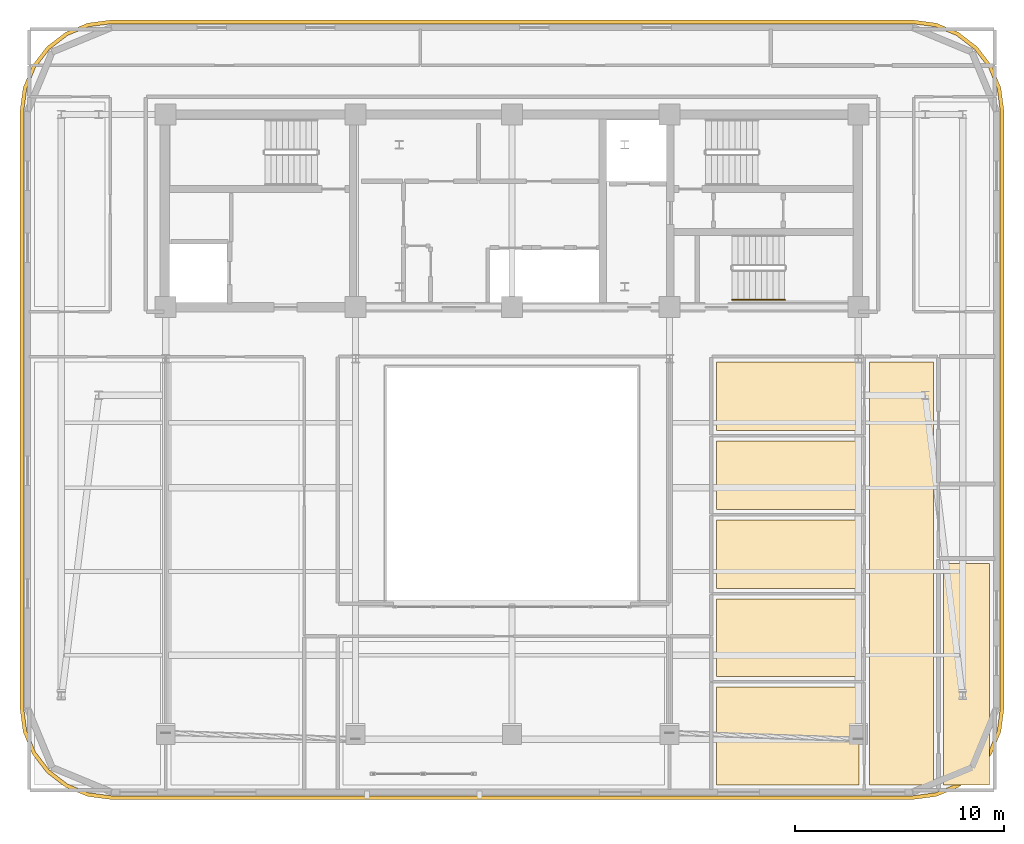
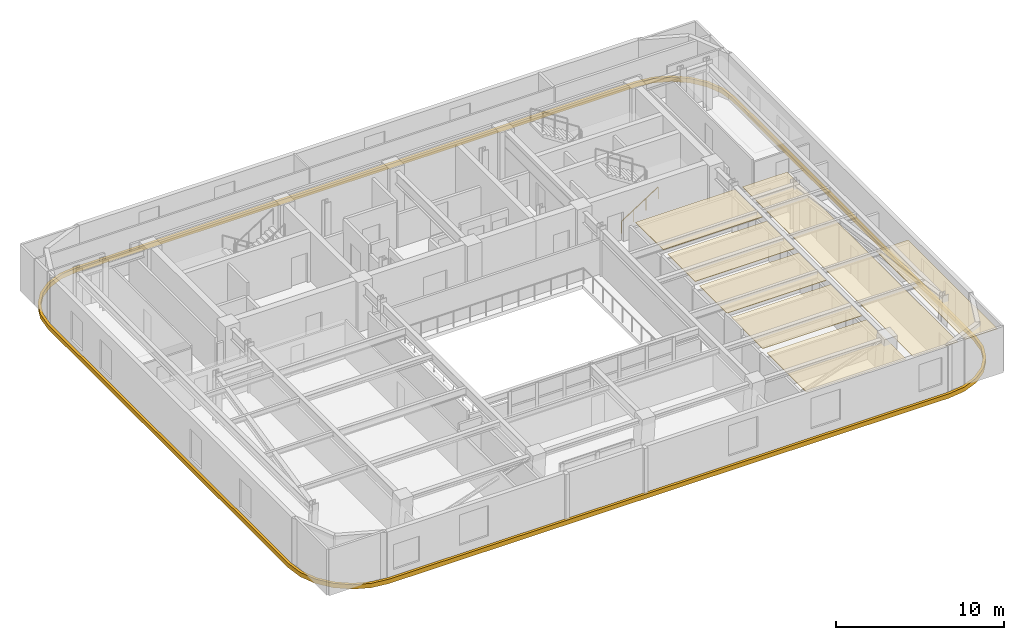
# One storey, part 12 of 13: 8 coverings, 1 railing.
"""IFC4 building model written with IfcOpenShell, lengths in metres."""

from ifc_helpers import new_model, si_unit, direction, frame, origin, origin_2d, place, context, subcontext, project, spatial, polyline, rectangle, outline, extrude, material, layer, layer_set, type_object, element, save


model = new_model("IFC4")

# Units and contexts
model_context = context("Model", 3, precision=1e-05, world=origin(), true_north=direction((0.0, 1.0)))
body_context = subcontext(model_context, "Body", "Model", "MODEL_VIEW")
ifc_project = project(units=[si_unit("LENGTHUNIT", "METRE"), si_unit("AREAUNIT", "SQUARE_METRE"), si_unit("VOLUMEUNIT", "CUBIC_METRE"), si_unit("PLANEANGLEUNIT", "RADIAN"), si_unit("MASSUNIT", "GRAM", prefix="KILO")], contexts=[model_context])

# Site, building, storey
site_placement = place(None, origin())
site = spatial("IfcSite", under=ifc_project, at=site_placement, CompositionType="ELEMENT")
building_placement = place(site_placement, origin())
building = spatial("IfcBuilding", under=site, at=building_placement, Name="Zarnavel Station Tower", CompositionType="ELEMENT")
storey_placement = place(building_placement, frame((0.0, 0.0, 207.60009765625)))
storey = spatial("IfcBuildingStorey", under=building, at=storey_placement, Name="L56", CompositionType="ELEMENT", Elevation=207.60009765625)

# Coverings
ifc_material_1 = material(Name="Perforated Gypsum and Mineral-Wool Acoustic Ceiling", Category="concrete")
ifc_layer = layer(ifc_material_1, 0.0400390625)
ifc_layer_set = layer_set([ifc_layer], Name="COV_CEIL_ACOUSTIC")
covering_type_1 = type_object("IfcCoveringType", Name="COV_CEIL_ACOUSTIC", PredefinedType="CEILING", material=ifc_layer_set)
covering_1_placement = place(storey_placement, frame((0.0, 0.0, 3.02001953125)))
element("IfcCovering", 1, at=covering_1_placement, inside=storey, type_object=covering_type_1, Name="L56 UE1LV Acoustic Ceiling", PredefinedType="CEILING", context=body_context, shape_type="SweptSolid", body=[
    extrude(outline(polyline([(45.930908203125, 4.909912109375), (48.989990234375, 4.909912109375), (48.989990234375, 25.199951171875), (45.930908203125, 25.199951171875), (45.930908203125, 4.909912109375)])), origin(), (0.0, 0.0, 1.0), 0.039794921875),
])
covering_2_placement = place(storey_placement, frame((0.0, 0.0, 3.02001953125)))
element("IfcCovering", 2, at=covering_2_placement, inside=storey, type_object=covering_type_1, Name="L56 UE1KT Acoustic Ceiling", PredefinedType="CEILING", context=body_context, shape_type="SweptSolid", body=[
    extrude(outline(polyline([(49.489990234375, 4.909912109375), (51.68994140625, 4.909912109375), (51.68994140625, 15.52099609375), (49.489990234375, 15.52099609375), (49.489990234375, 4.909912109375)])), origin(), (0.0, 0.0, 1.0), 0.039794921875),
])
covering_3_placement = place(storey_placement, frame((0.0, 0.0, 3.02001953125)))
element("IfcCovering", 3, at=covering_3_placement, inside=storey, type_object=covering_type_1, Name="L56 UE1B1 Acoustic Ceiling", PredefinedType="CEILING", context=body_context, shape_type="SweptSolid", body=[
    extrude(outline(polyline([(38.60009765625, 4.909912109375), (45.430908203125, 4.909912109375), (45.430908203125, 9.60693359375), (38.60009765625, 9.60693359375), (38.60009765625, 4.909912109375)])), origin(), (0.0, 0.0, 1.0), 0.039794921875),
])
covering_4_placement = place(storey_placement, frame((0.0, 0.0, 3.02001953125)))
element("IfcCovering", 4, at=covering_4_placement, inside=storey, type_object=covering_type_1, Name="L56 UE1B2 Acoustic Ceiling", PredefinedType="CEILING", context=body_context, shape_type="SweptSolid", body=[
    extrude(outline(polyline([(38.60009765625, 10.10693359375), (45.430908203125, 10.10693359375), (45.430908203125, 13.8349609375), (38.60009765625, 13.8349609375), (38.60009765625, 10.10693359375)])), origin(), (0.0, 0.0, 1.0), 0.039794921875),
])
covering_5_placement = place(storey_placement, frame((0.0, 0.0, 3.02001953125)))
element("IfcCovering", 5, at=covering_5_placement, inside=storey, type_object=covering_type_1, Name="L56 UE1B3 Acoustic Ceiling", PredefinedType="CEILING", context=body_context, shape_type="SweptSolid", body=[
    extrude(outline(polyline([(38.60009765625, 14.3349609375), (45.430908203125, 14.3349609375), (45.430908203125, 17.623046875), (38.60009765625, 17.623046875), (38.60009765625, 14.3349609375)])), origin(), (0.0, 0.0, 1.0), 0.039794921875),
])
covering_6_placement = place(storey_placement, frame((0.0, 0.0, 3.02001953125)))
element("IfcCovering", 6, at=covering_6_placement, inside=storey, type_object=covering_type_1, Name="L56 UE1B4 Acoustic Ceiling", PredefinedType="CEILING", context=body_context, shape_type="SweptSolid", body=[
    extrude(outline(polyline([(38.60009765625, 18.123046875), (45.430908203125, 18.123046875), (45.430908203125, 21.410888671875), (38.60009765625, 21.410888671875), (38.60009765625, 18.123046875)])), origin(), (0.0, 0.0, 1.0), 0.039794921875),
])
covering_7_placement = place(storey_placement, frame((0.0, 0.0, 3.02001953125)))
element("IfcCovering", 7, at=covering_7_placement, inside=storey, type_object=covering_type_1, Name="L56 UE1B5 Acoustic Ceiling", PredefinedType="CEILING", context=body_context, shape_type="SweptSolid", body=[
    extrude(outline(polyline([(38.60009765625, 21.910888671875), (45.430908203125, 21.910888671875), (45.430908203125, 25.199951171875), (38.60009765625, 25.199951171875), (38.60009765625, 21.910888671875)])), origin(), (0.0, 0.0, 1.0), 0.039794921875),
])
ifc_material_2 = material(Name="Precast concrete C45/55 (Pale Travertine Slab Band)", Category="masonry")
covering_type_2 = type_object("IfcCoveringType", Name="COV_TRAVERTINE_BAND", PredefinedType="CLADDING", material=ifc_material_2)
covering_8_placement = place(storey_placement, frame((0.0, 0.0, -0.260009765625)))
element("IfcCovering", 8, at=covering_8_placement, inside=storey, type_object=covering_type_2, Name="L56 Pale Travertine Slab-Edge Band", PredefinedType="CLADDING", context=body_context, shape_type="SweptSolid", body=[
    extrude(outline(polyline([(48.0, 4.219970703125), (49.133544921875, 4.369140625), (50.18994140625, 4.806884765625), (51.09716796875, 5.5029296875), (51.793212890625, 6.409912109375), (52.230712890625, 7.46630859375), (52.3798828125, 8.60009765625), (52.3798828125, 37.199951171875), (52.230712890625, 38.33349609375), (51.793212890625, 39.389892578125), (51.09716796875, 40.297119140625), (50.18994140625, 40.9931640625), (49.133544921875, 41.430908203125), (48.0, 41.580078125), (9.60009765625, 41.580078125), (8.46630859375, 41.430908203125), (7.409912109375, 40.9931640625), (6.5029296875, 40.297119140625), (5.806884765625, 39.389892578125), (5.369140625, 38.33349609375), (5.219970703125, 37.199951171875), (5.219970703125, 8.60009765625), (5.369140625, 7.46630859375), (5.806884765625, 6.409912109375), (6.5029296875, 5.5029296875), (7.409912109375, 4.806884765625), (8.46630859375, 4.369140625), (9.60009765625, 4.219970703125), (48.0, 4.219970703125)]), holes=[polyline([(48.0, 4.39990234375), (49.0869140625, 4.543212890625), (50.10009765625, 4.962646484375), (50.9697265625, 5.630126953125), (51.63720703125, 6.5), (52.056884765625, 7.512939453125), (52.199951171875, 8.60009765625), (52.199951171875, 37.199951171875), (52.056884765625, 38.287109375), (51.63720703125, 39.300048828125), (50.9697265625, 40.169921875), (50.10009765625, 40.83740234375), (49.0869140625, 41.2568359375), (48.0, 41.39990234375), (9.60009765625, 41.39990234375), (8.512939453125, 41.2568359375), (7.5, 40.83740234375), (6.630126953125, 40.169921875), (5.962646484375, 39.300048828125), (5.543212890625, 38.287109375), (5.39990234375, 37.199951171875), (5.39990234375, 8.60009765625), (5.543212890625, 7.512939453125), (5.962646484375, 6.5), (6.630126953125, 5.630126953125), (7.5, 4.962646484375), (8.512939453125, 4.543212890625), (9.60009765625, 4.39990234375), (48.0, 4.39990234375)])]), origin(), (0.0, 0.0, 1.0), 0.31982421875),
])

# Railing
ifc_material_3 = material(Name="Brushed Stainless Steel S355J2 Handrail", Category="steel")
railing_type = type_object("IfcRailingType", Name="HR_STAIR_900", PredefinedType="HANDRAIL", material=ifc_material_3)
railing_placement = place(storey_placement, frame((39.35009765625, 28.169921875, 0.179931640625)))
element("IfcRailing", 9, at=railing_placement, inside=storey, type_object=railing_type, Name="L56 ST3 stair handrail 1", PredefinedType="HANDRAIL", context=body_context, shape_type="SweptSolid", body=[
    extrude(rectangle(XDim=0.048095703125, YDim=0.048095703125, at=origin_2d()), frame((0.001708984375, 0.0, 0.876953125), z_axis=(0.841199657755, 0.0, 0.540724639528), x_axis=(0.0, 1.0, 0.0)), (0.0, 0.0, 1.0), 2.99169921875),
    extrude(rectangle(XDim=0.0419921875, YDim=0.0419921875, at=origin_2d()), origin(), (0.0, 0.0, 1.0), 0.851806640625),
    extrude(rectangle(XDim=0.0419921875, YDim=0.0419921875, at=origin_2d()), frame((0.840087890625, 0.0, 0.5400390625)), (0.0, 0.0, 1.0), 0.851806640625),
    extrude(rectangle(XDim=0.0419921875, YDim=0.0419921875, at=origin_2d()), frame((1.679931640625, 0.0, 1.079833984375)), (0.0, 0.0, 1.0), 0.851806640625),
    extrude(rectangle(XDim=0.0419921875, YDim=0.0419921875, at=origin_2d()), frame((2.52001953125, 0.0, 1.619873046875)), (0.0, 0.0, 1.0), 0.851806640625),
])

save(model, "model.ifc")
